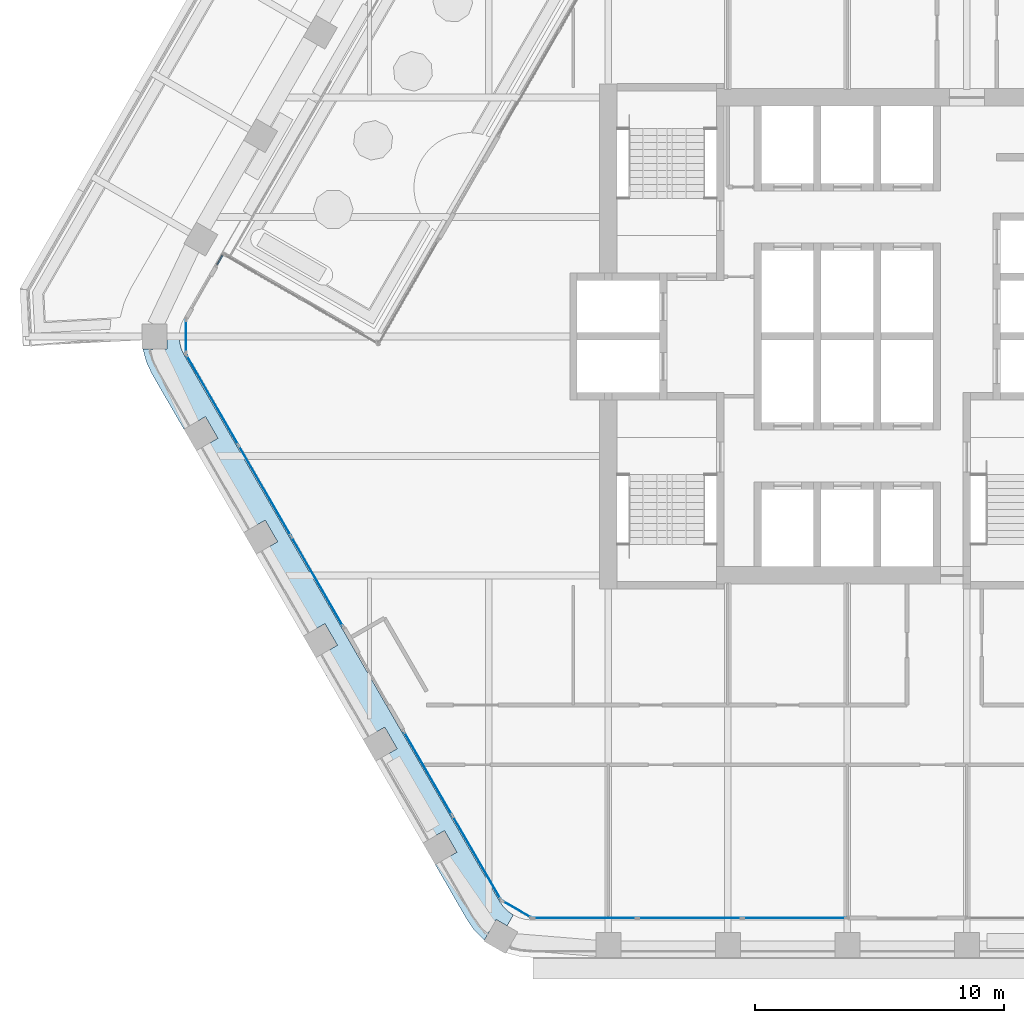
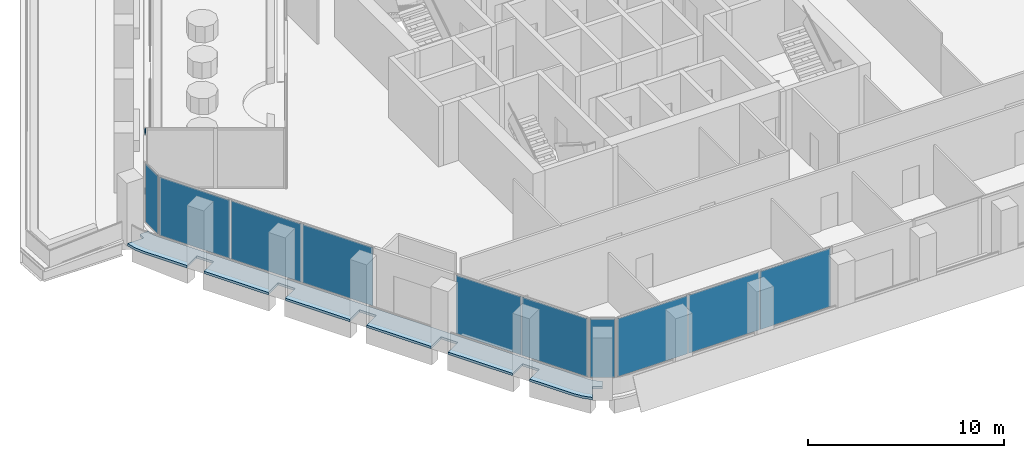
# One storey, part 8 of 18: 10 plates, 2 members, 1 slab, 6 elements without a shape of their own.
"""IFC4 building model written with IfcOpenShell, lengths in metres."""

from ifc_helpers import new_model, si_unit, direction, frame, origin, origin_2d, place, context, subcontext, project, spatial, polyline, rectangle, outline, extrude, material, layer, layer_set, material_profile, profile_set, type_object, element, aggregate, save


model = new_model("IFC4")

# Units and contexts
model_context = context("Model", 3, precision=1e-05, world=origin(), true_north=direction((0.0, 1.0)))
body_context = subcontext(model_context, "Body", "Model", "MODEL_VIEW")
ifc_project = project(units=[si_unit("LENGTHUNIT", "METRE"), si_unit("AREAUNIT", "SQUARE_METRE"), si_unit("VOLUMEUNIT", "CUBIC_METRE"), si_unit("PLANEANGLEUNIT", "RADIAN"), si_unit("MASSUNIT", "GRAM", prefix="KILO")], contexts=[model_context])

# Site, building, storey
site_placement = place(None, origin())
site = spatial("IfcSite", under=ifc_project, at=site_placement, CompositionType="ELEMENT")
building_placement = place(site_placement, origin())
building = spatial("IfcBuilding", under=site, at=building_placement, Name="Kolab Exchange Tower", CompositionType="ELEMENT")
storey_placement = place(building_placement, frame((0.0, 0.0, 150.5)))
storey = spatial("IfcBuildingStorey", under=building, at=storey_placement, Name="L30", CompositionType="ELEMENT", Elevation=150.5)

# Curtain wall, members
ifc_material_1 = material(Name="Aluminium EN AW-6063 T6", Category="aluminium")
curtain_wall_type = type_object("IfcCurtainWallType", Name="UNITISED UPPER MID ZONE CURTAIN WALL", PredefinedType="NOTDEFINED", material=ifc_material_1)
curtain_wall_1_placement = place(storey_placement, origin())
curtain_wall_1 = element("IfcCurtainWall", 1, at=curtain_wall_1_placement, inside=storey, type_object=curtain_wall_type, Name="cw/L30/F6-l-1", PredefinedType="NOTDEFINED")
ifc_material_profile = material_profile(ifc_material_1, rectangle(XDim=0.06005859375, YDim=0.139892578125, at=origin_2d()), Name="RECT 60X140")
ifc_profile_set = profile_set([ifc_material_profile], Name="Aluminium EN AW-6063 T6")
member_type = type_object("IfcMemberType", Name="UNITISED UPPER MID ZONE TRANSOM 60 X 140", PredefinedType="USERDEFINED", material=ifc_profile_set)
member_1_placement = place(storey_placement, frame((-25.3056640625, 2.892333984375, 0.030029296875), z_axis=(0.500257658649, 0.86587659338, 0.0), x_axis=(-0.86587659338, 0.500257658649, 0.0)))
member_1 = element("IfcMember", 2, at=member_1_placement, type_object=member_type, Name="CW3 transom 1.1", ObjectType="TRANSOM", PredefinedType="USERDEFINED", context=body_context, shape_type="SweptSolid", body=[
    extrude(rectangle(XDim=0.06005859375, YDim=0.139892578125, at=origin_2d()), origin(), (0.0, 0.0, 1.0), 0.407958984375),
])
member_2_placement = place(storey_placement, frame((-25.3056640625, 2.892333984375, 3.719970703125), z_axis=(0.500257658649, 0.86587659338, 0.0), x_axis=(-0.86587659338, 0.500257658649, 0.0)))
member_2 = element("IfcMember", 3, at=member_2_placement, type_object=member_type, Name="CW3 transom 1.2", ObjectType="TRANSOM", PredefinedType="USERDEFINED", context=body_context, shape_type="SweptSolid", body=[
    extrude(rectangle(XDim=0.06005859375, YDim=0.139892578125, at=origin_2d()), origin(), (0.0, 0.0, 1.0), 0.407958984375),
])
aggregate(curtain_wall_1, [member_1, member_2])

# Slab
ifc_material_2 = material(Name="Concrete C35/45", Category="concrete")
ifc_layer_1 = layer(ifc_material_2, 0.14990234375)
ifc_layer_set_1 = layer_set([ifc_layer_1], Name="Concrete C35/45")
slab_type = type_object("IfcSlabType", Name="LOGGIA SLAB 150", PredefinedType="FLOOR", material=ifc_layer_set_1)
slab_placement = place(storey_placement, frame((0.0, 0.0, -0.14990234375)))
element("IfcSlab", 4, at=slab_placement, inside=storey, type_object=slab_type, Name="slab/L30/loggia/4-0", PredefinedType="FLOOR", context=body_context, shape_type="SweptSolid", body=[
    extrude(outline(polyline([(-26.81298828125, -0.260498046875), (-26.829345703125, -0.07568359375), (-27.3359375, -0.10107421875), (-27.3359375, -0.5), (-28.292236328125, -0.5), (-28.290283203125, -0.52099609375), (-28.155029296875, -1.026123046875), (-27.93408203125, -1.5), (-26.64990234375, -3.723876953125), (-25.783935546875, -3.223876953125), (-25.283935546875, -4.08984375), (-26.14990234375, -4.58984375), (-24.25, -7.880859375), (-23.384033203125, -7.380859375), (-22.884033203125, -8.246826171875), (-23.75, -8.746826171875), (-21.85009765625, -12.037841796875), (-20.98388671875, -11.537841796875), (-20.48388671875, -12.40380859375), (-21.35009765625, -12.90380859375), (-19.449951171875, -16.194580078125), (-18.583984375, -15.694580078125), (-18.083984375, -16.560791015625), (-18.949951171875, -17.060791015625), (-17.050048828125, -20.3515625), (-16.18408203125, -19.8515625), (-15.68408203125, -20.717529296875), (-16.550048828125, -21.217529296875), (-15.26611328125, -23.441650390625), (-14.966064453125, -23.869873046875), (-14.59619140625, -24.23974609375), (-14.5791015625, -24.251708984375), (-14.10107421875, -23.423583984375), (-13.66796875, -23.673583984375), (-13.41796875, -23.240478515625), (-13.632080078125, -23.090576171875), (-13.81689453125, -22.90576171875), (-13.967041015625, -22.691650390625), (-26.635009765625, -0.75), (-26.745361328125, -0.512939453125), (-26.81298828125, -0.260498046875)])), origin(), (0.0, 0.0, 1.0), 0.14990234375),
])

# Curtain wall, plates
curtain_wall_2_placement = place(storey_placement, origin())
curtain_wall_2 = element("IfcCurtainWall", 5, at=curtain_wall_2_placement, inside=storey, type_object=curtain_wall_type, Name="cw/L30/F4-2", PredefinedType="NOTDEFINED")
ifc_material_3 = material(Name="Clear insulated glazing unit", Category="glass")
ifc_layer_2 = layer(ifc_material_3, 0.028076171875)
ifc_layer_set_2 = layer_set([ifc_layer_2], Name="Clear insulated glazing unit")
plate_type = type_object("IfcPlateType", Name="UNITISED UPPER MID ZONE GLASS PANEL 28", PredefinedType="CURTAIN_PANEL", material=ifc_layer_set_2)
plate_1_placement = place(storey_placement, frame((-2.126220703125, -23.361572265625, 0.06005859375), z_axis=(0.0, 0.0, 1.0), x_axis=(-1.0, 0.0, 0.0)))
plate_1 = element("IfcPlate", 6, at=plate_1_placement, type_object=plate_type, Name="CW3 panel 1.1", PredefinedType="CURTAIN_PANEL", context=body_context, shape_type="SweptSolid", body=[
    extrude(rectangle(XDim=4.132568359375, YDim=0.028076171875, at=origin_2d()), origin(), (0.0, 0.0, 1.0), 3.6298828125),
])
plate_2_placement = place(storey_placement, frame((-6.333984375, -23.361572265625, 0.06005859375), z_axis=(0.0, 0.0, 1.0), x_axis=(-1.0, 0.0, 0.0)))
plate_2 = element("IfcPlate", 7, at=plate_2_placement, type_object=plate_type, Name="CW3 panel 2.1", PredefinedType="CURTAIN_PANEL", context=body_context, shape_type="SweptSolid", body=[
    extrude(rectangle(XDim=4.16259765625, YDim=0.028076171875, at=origin_2d()), origin(), (0.0, 0.0, 1.0), 3.6298828125),
])
plate_3_placement = place(storey_placement, frame((-10.54150390625, -23.361572265625, 0.06005859375), z_axis=(0.0, 0.0, 1.0), x_axis=(-1.0, 0.0, 0.0)))
plate_3 = element("IfcPlate", 8, at=plate_3_placement, type_object=plate_type, Name="CW3 panel 3.1", PredefinedType="CURTAIN_PANEL", context=body_context, shape_type="SweptSolid", body=[
    extrude(rectangle(XDim=4.132568359375, YDim=0.028076171875, at=origin_2d()), origin(), (0.0, 0.0, 1.0), 3.6298828125),
])
aggregate(curtain_wall_2, [plate_1, plate_2, plate_3])

curtain_wall_3_placement = place(storey_placement, origin())
curtain_wall_3 = element("IfcCurtainWall", 9, at=curtain_wall_3_placement, inside=storey, type_object=curtain_wall_type, Name="cw/L30/F5-1", PredefinedType="NOTDEFINED")
plate_4_placement = place(storey_placement, frame((-14.888671875, -20.93505859375, 0.06005859375), z_axis=(0.0, 0.0, 1.0), x_axis=(-0.500000031681, 0.866025385493, 0.0)))
plate_4 = element("IfcPlate", 10, at=plate_4_placement, type_object=plate_type, Name="CW3 panel 1.1", PredefinedType="CURTAIN_PANEL", context=body_context, shape_type="SweptSolid", body=[
    extrude(rectangle(XDim=3.843994140625, YDim=0.028076171875, at=origin_2d()), origin(), (0.0, 0.0, 1.0), 3.6298828125),
])
plate_5_placement = place(storey_placement, frame((-16.840576171875, -17.55419921875, 0.06005859375), z_axis=(0.0, 0.0, 1.0), x_axis=(-0.500000031681, 0.866025385493, 0.0)))
plate_5 = element("IfcPlate", 11, at=plate_5_placement, type_object=plate_type, Name="CW3 panel 2.1", PredefinedType="CURTAIN_PANEL", context=body_context, shape_type="SweptSolid", body=[
    extrude(rectangle(XDim=3.843994140625, YDim=0.028076171875, at=origin_2d()), origin(), (0.0, 0.0, 1.0), 3.6298828125),
])
aggregate(curtain_wall_3, [plate_4, plate_5])

curtain_wall_4_placement = place(storey_placement, origin())
curtain_wall_4 = element("IfcCurtainWall", 12, at=curtain_wall_4_placement, inside=storey, type_object=curtain_wall_type, Name="cw/L30/F5-2", PredefinedType="NOTDEFINED")
plate_6_placement = place(storey_placement, frame((-21.294921875, -9.83935546875, 0.06005859375), z_axis=(0.0, 0.0, 1.0), x_axis=(-0.499999958358, 0.866025427826, 0.0)))
plate_6 = element("IfcPlate", 13, at=plate_6_placement, type_object=plate_type, Name="CW3 panel 1.1", PredefinedType="CURTAIN_PANEL", context=body_context, shape_type="SweptSolid", body=[
    extrude(rectangle(XDim=4.132568359375, YDim=0.028076171875, at=origin_2d()), origin(), (0.0, 0.0, 1.0), 3.6298828125),
])
plate_7_placement = place(storey_placement, frame((-23.398681640625, -6.1953125, 0.06005859375), z_axis=(0.0, 0.0, 1.0), x_axis=(-0.499999958358, 0.866025427826, 0.0)))
plate_7 = element("IfcPlate", 14, at=plate_7_placement, type_object=plate_type, Name="CW3 panel 2.1", PredefinedType="CURTAIN_PANEL", context=body_context, shape_type="SweptSolid", body=[
    extrude(rectangle(XDim=4.16259765625, YDim=0.028076171875, at=origin_2d()), origin(), (0.0, 0.0, 1.0), 3.6298828125),
])
plate_8_placement = place(storey_placement, frame((-25.50244140625, -2.551513671875, 0.06005859375), z_axis=(0.0, 0.0, 1.0), x_axis=(-0.499999958358, 0.866025427826, 0.0)))
plate_8 = element("IfcPlate", 15, at=plate_8_placement, type_object=plate_type, Name="CW3 panel 3.1", PredefinedType="CURTAIN_PANEL", context=body_context, shape_type="SweptSolid", body=[
    extrude(rectangle(XDim=4.132568359375, YDim=0.028076171875, at=origin_2d()), origin(), (0.0, 0.0, 1.0), 3.6298828125),
])
aggregate(curtain_wall_4, [plate_6, plate_7, plate_8])

# Curtain wall, plate
curtain_wall_5_placement = place(storey_placement, origin())
curtain_wall_5 = element("IfcCurtainWall", 16, at=curtain_wall_5_placement, inside=storey, type_object=curtain_wall_type, Name="cw/L30/F4F5-corner", PredefinedType="NOTDEFINED")
plate_9_placement = place(storey_placement, frame((-13.28271484375, -23.006591796875, 0.06005859375), z_axis=(0.0, 0.0, 1.0), x_axis=(-0.866025390869, 0.50000002237, 0.0)))
plate_9 = element("IfcPlate", 17, at=plate_9_placement, type_object=plate_type, Name="CW3 panel 1.1", PredefinedType="CURTAIN_PANEL", context=body_context, shape_type="SweptSolid", body=[
    extrude(rectangle(XDim=1.300048828125, YDim=0.028076171875, at=origin_2d()), origin(), (0.0, 0.0, 1.0), 3.6298828125),
])
aggregate(curtain_wall_5, [plate_9])

curtain_wall_6_placement = place(storey_placement, origin())
curtain_wall_6 = element("IfcCurtainWall", 18, at=curtain_wall_6_placement, inside=storey, type_object=curtain_wall_type, Name="cw/L30/F5F6-corner", PredefinedType="NOTDEFINED")
plate_10_placement = place(storey_placement, frame((-26.565673828125, 0.0, 0.06005859375), z_axis=(0.0, 0.0, 1.0), x_axis=(0.0, 1.0, 0.0)))
plate_10 = element("IfcPlate", 19, at=plate_10_placement, type_object=plate_type, Name="CW3 panel 1.1", PredefinedType="CURTAIN_PANEL", context=body_context, shape_type="SweptSolid", body=[
    extrude(rectangle(XDim=1.300048828125, YDim=0.028076171875, at=origin_2d()), origin(), (0.0, 0.0, 1.0), 3.6298828125),
])
aggregate(curtain_wall_6, [plate_10])

save(model, "model.ifc")
